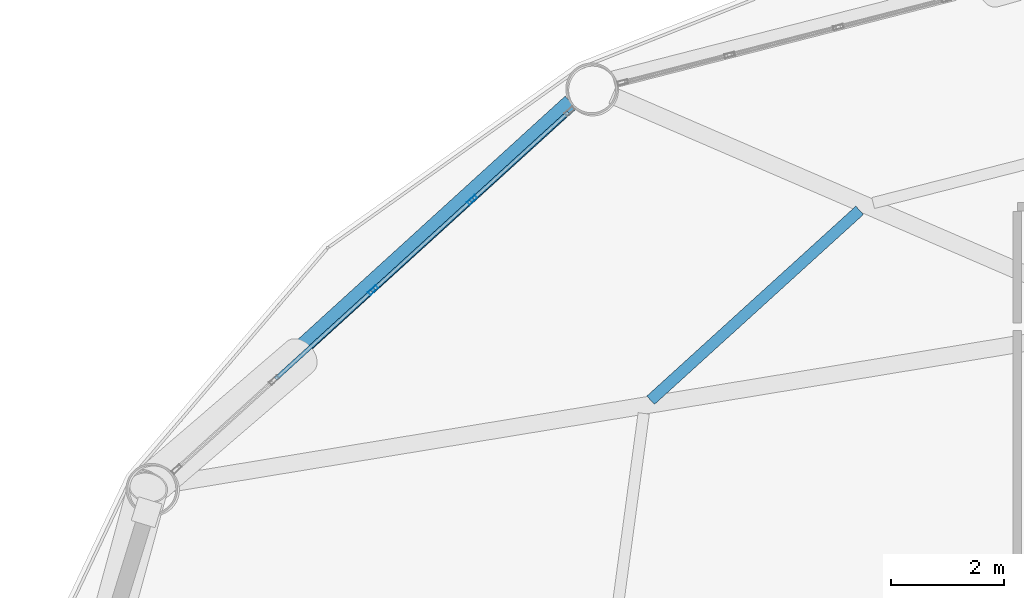
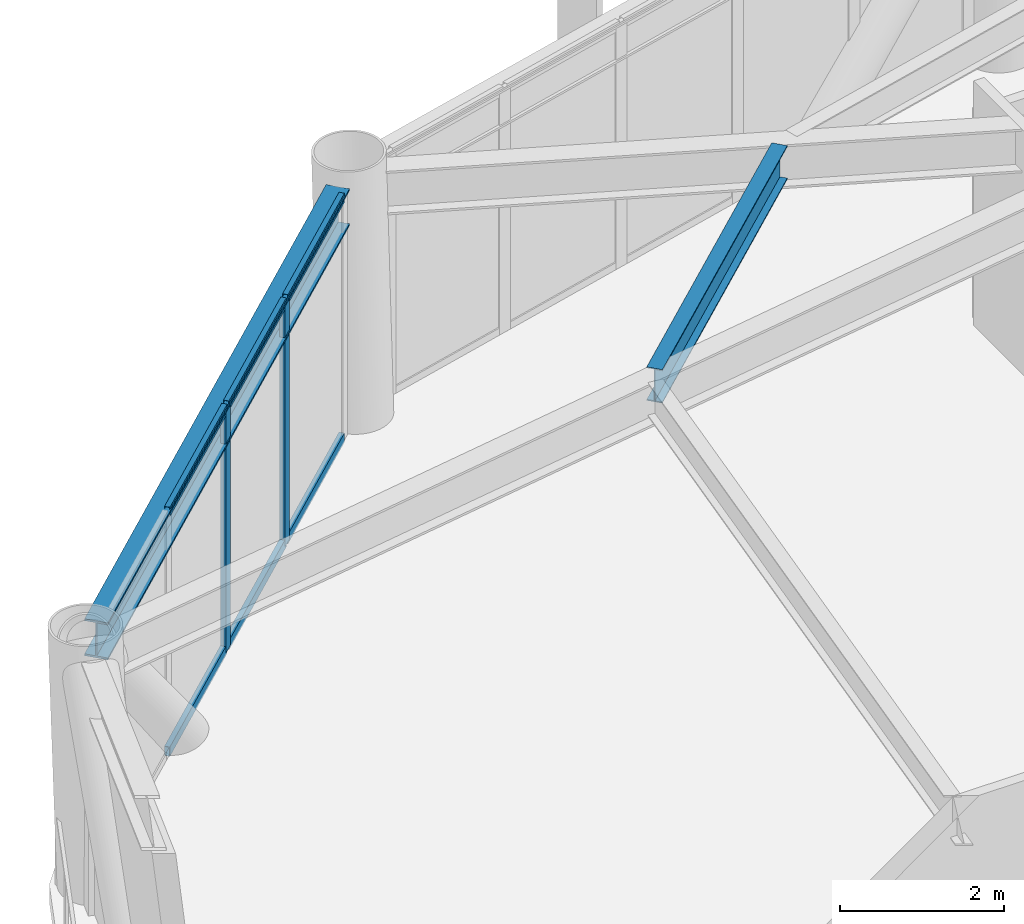
# One storey, part 15 of 25: 8 members, 2 beams, 1 element without a shape of its own.
"""IFC4 building model written with IfcOpenShell, lengths in metres."""

from ifc_helpers import new_model, si_unit, direction, frame, origin, origin_2d, place, context, subcontext, project, spatial, hollow_rectangle, i_section, extrude, material, layer, layer_set, material_profile, profile_set, type_object, element, aggregate, save


model = new_model("IFC4")

# Units and contexts
model_context = context("Model", 3, precision=1e-05, world=origin(), true_north=direction((0.0, 1.0)))
body_context = subcontext(model_context, "Body", "Model", "MODEL_VIEW")
ifc_project = project(units=[si_unit("LENGTHUNIT", "METRE"), si_unit("AREAUNIT", "SQUARE_METRE"), si_unit("VOLUMEUNIT", "CUBIC_METRE"), si_unit("PLANEANGLEUNIT", "RADIAN"), si_unit("MASSUNIT", "GRAM", prefix="KILO")], contexts=[model_context])

# Site, building, storey
site_placement = place(None, origin())
site = spatial("IfcSite", under=ifc_project, at=site_placement, CompositionType="ELEMENT")
building_placement = place(site_placement, origin())
building = spatial("IfcBuilding", under=site, at=building_placement, Name="Varnakorn Sky Granary", CompositionType="ELEMENT")
storey_placement = place(building_placement, frame((0.0, 0.0, 58.800048828125)))
storey = spatial("IfcBuildingStorey", under=building, at=storey_placement, Name="L14", CompositionType="ELEMENT", Elevation=58.800048828125)

# Beams
ifc_material_1 = material(Name="Steel S355JR", Category="steel")
ifc_material_profile_1 = material_profile(ifc_material_1, i_section(OverallWidth=0.199951171875, OverallDepth=0.5, WebThickness=0.01025390625, FlangeThickness=0.01611328125, at=origin_2d()), Name="IPE 500")
ifc_profile_set_1 = profile_set([ifc_material_profile_1], Name="Steel S355JR")
beam_type_1 = type_object("IfcBeamType", Name="BM-SEC-Z1", PredefinedType="BEAM", material=ifc_profile_set_1)
beam_1_placement = place(storey_placement, frame((-7.396240234375, 14.6328125, 3.389892578125), z_axis=(-0.740087979136, -0.672510061737, 0.0), x_axis=(0.672510061737, -0.740087979136, 0.0)))
element("IfcBeam", 1, at=beam_1_placement, inside=storey, type_object=beam_type_1, Name="Secondary Floor Chord Beam MSB05 L14", PredefinedType="BEAM", context=body_context, shape_type="SweptSolid", body=[
    extrude(i_section(OverallWidth=0.199951171875, OverallDepth=0.5, WebThickness=0.01025390625, FlangeThickness=0.01611328125, at=origin_2d()), origin(), (0.0, 0.0, 1.0), 5.003662109375),
])
ifc_material_profile_2 = material_profile(ifc_material_1, i_section(OverallWidth=0.300048828125, OverallDepth=0.550048828125, WebThickness=0.014892578125, FlangeThickness=0.029052734375, at=origin_2d()), Name="HE 550 B")
ifc_profile_set_2 = profile_set([ifc_material_profile_2], Name="Steel S355JR")
beam_type_2 = type_object("IfcBeamType", Name="BM-SPD-Z1", PredefinedType="SPANDREL", material=ifc_profile_set_2)
beam_2_placement = place(storey_placement, frame((-12.512451171875, 16.544921875, 3.364990234375), z_axis=(-0.739598046308, -0.673048831733, 0.0), x_axis=(0.673048831733, -0.739598046308, 0.0)))
element("IfcBeam", 2, at=beam_2_placement, inside=storey, type_object=beam_type_2, Name="Perimeter Spandrel Ring Beam RB05 L14", PredefinedType="SPANDREL", context=body_context, shape_type="SweptSolid", body=[
    extrude(i_section(OverallWidth=0.300048828125, OverallDepth=0.550048828125, WebThickness=0.014892578125, FlangeThickness=0.029052734375, at=origin_2d()), origin(), (0.0, 0.0, 1.0), 9.6923828125),
])

# Curtain wall, members
ifc_material_2 = material(Name="Anodised Bronze Aluminium Alloy 6063-T6", Category="aluminium")
ifc_layer = layer(ifc_material_2, 0.18994140625, Name="Anodised Bronze Aluminium Alloy 6063-T6")
ifc_layer_set = layer_set([ifc_layer], Name="Anodised Bronze Aluminium Alloy 6063-T6")
curtain_wall_type = type_object("IfcCurtainWallType", Name="CW-FRM-1", PredefinedType="USERDEFINED", material=ifc_layer_set)
curtain_wall_placement = place(storey_placement, origin())
curtain_wall = element("IfcCurtainWall", 3, at=curtain_wall_placement, inside=storey, type_object=curtain_wall_type, Name="Unitised Curtain Wall CW3 CW-L14-B05", ObjectType="CURTAIN WALL", PredefinedType="USERDEFINED")
ifc_material_profile_3 = material_profile(ifc_material_2, hollow_rectangle(XDim=0.070068359375, YDim=0.18505859375, WallThickness=0.00390625, at=origin_2d()), Name="ALU MULL 70x185")
ifc_profile_set_3 = profile_set([ifc_material_profile_3], Name="Anodised Bronze Aluminium Alloy 6063-T6")
member_type_1 = type_object("IfcMemberType", Name="CW-FRM-1-MULL", PredefinedType="MULLION", material=ifc_profile_set_3)
member_1_placement = place(storey_placement, frame((-16.01611328125, 13.2197265625, 0.0), z_axis=(0.0, 0.0, 1.0), x_axis=(-0.67331886602, 0.739352219623, 0.0)))
member_1 = element("IfcMember", 4, at=member_1_placement, type_object=member_type_1, Name="CW3 mullion 3", PredefinedType="MULLION", context=body_context, shape_type="SweptSolid", body=[
    extrude(hollow_rectangle(XDim=0.070068359375, YDim=0.18505859375, WallThickness=0.00390625, at=origin_2d()), origin(), (0.0, 0.0, 1.0), 3.639892578125),
])
member_2_placement = place(storey_placement, frame((-14.262451171875, 14.816650390625, 0.0), z_axis=(0.0, 0.0, 1.0), x_axis=(-0.67331886602, 0.739352219623, 0.0)))
member_2 = element("IfcMember", 5, at=member_2_placement, type_object=member_type_1, Name="CW3 mullion 4", PredefinedType="MULLION", context=body_context, shape_type="SweptSolid", body=[
    extrude(hollow_rectangle(XDim=0.070068359375, YDim=0.18505859375, WallThickness=0.00390625, at=origin_2d()), origin(), (0.0, 0.0, 1.0), 3.639892578125),
])
ifc_material_profile_4 = material_profile(ifc_material_2, hollow_rectangle(XDim=0.070068359375, YDim=0.139892578125, WallThickness=0.00341796875, at=origin_2d()), Name="ALU TRAN 70x140")
ifc_profile_set_4 = profile_set([ifc_material_profile_4], Name="Anodised Bronze Aluminium Alloy 6063-T6")
member_type_2 = type_object("IfcMemberType", Name="CW-FRM-1-TRAN", PredefinedType="USERDEFINED", material=ifc_profile_set_4)
member_3_placement = place(storey_placement, frame((-17.743896484375, 11.646240234375, 0.034912109375), z_axis=(0.739373495564, 0.673295502775, 0.0), x_axis=(-0.673295502775, 0.739373495564, 0.0)))
member_3 = element("IfcMember", 6, at=member_3_placement, type_object=member_type_2, Name="CW3 transom 2.1", ObjectType="TRANSOM", PredefinedType="USERDEFINED", context=body_context, shape_type="SweptSolid", body=[
    extrude(hollow_rectangle(XDim=0.070068359375, YDim=0.139892578125, WallThickness=0.00341796875, at=origin_2d()), origin(), (0.0, 0.0, 1.0), 2.3017578125),
])
member_4_placement = place(storey_placement, frame((-17.743896484375, 11.646240234375, 3.60498046875), z_axis=(0.739373495564, 0.673295502775, 0.0), x_axis=(-0.673295502775, 0.739373495564, 0.0)))
member_4 = element("IfcMember", 7, at=member_4_placement, type_object=member_type_2, Name="CW3 transom 2.2", ObjectType="TRANSOM", PredefinedType="USERDEFINED", context=body_context, shape_type="SweptSolid", body=[
    extrude(hollow_rectangle(XDim=0.070068359375, YDim=0.139892578125, WallThickness=0.00341796875, at=origin_2d()), origin(), (0.0, 0.0, 1.0), 2.3017578125),
])
member_5_placement = place(storey_placement, frame((-15.990234375, 13.2431640625, 0.034912109375), z_axis=(0.739320696519, 0.673353479013, 0.0), x_axis=(-0.673353479013, 0.739320696519, 0.0)))
member_5 = element("IfcMember", 8, at=member_5_placement, type_object=member_type_2, Name="CW3 transom 3.1", ObjectType="TRANSOM", PredefinedType="USERDEFINED", context=body_context, shape_type="SweptSolid", body=[
    extrude(hollow_rectangle(XDim=0.070068359375, YDim=0.139892578125, WallThickness=0.00341796875, at=origin_2d()), origin(), (0.0, 0.0, 1.0), 2.302001953125),
])
member_6_placement = place(storey_placement, frame((-15.990234375, 13.2431640625, 3.60498046875), z_axis=(0.739320696519, 0.673353479013, 0.0), x_axis=(-0.673353479013, 0.739320696519, 0.0)))
member_6 = element("IfcMember", 9, at=member_6_placement, type_object=member_type_2, Name="CW3 transom 3.2", ObjectType="TRANSOM", PredefinedType="USERDEFINED", context=body_context, shape_type="SweptSolid", body=[
    extrude(hollow_rectangle(XDim=0.070068359375, YDim=0.139892578125, WallThickness=0.00341796875, at=origin_2d()), origin(), (0.0, 0.0, 1.0), 2.302001953125),
])
member_7_placement = place(storey_placement, frame((-14.236572265625, 14.84033203125, 0.034912109375), z_axis=(0.739345253663, 0.673326515062, 0.0), x_axis=(-0.673326515062, 0.739345253663, 0.0)))
member_7 = element("IfcMember", 10, at=member_7_placement, type_object=member_type_2, Name="CW3 transom 4.1", ObjectType="TRANSOM", PredefinedType="USERDEFINED", context=body_context, shape_type="SweptSolid", body=[
    extrude(hollow_rectangle(XDim=0.070068359375, YDim=0.139892578125, WallThickness=0.00341796875, at=origin_2d()), origin(), (0.0, 0.0, 1.0), 2.266845703125),
])
member_8_placement = place(storey_placement, frame((-14.236572265625, 14.84033203125, 3.60498046875), z_axis=(0.739345253663, 0.673326515062, 0.0), x_axis=(-0.673326515062, 0.739345253663, 0.0)))
member_8 = element("IfcMember", 11, at=member_8_placement, type_object=member_type_2, Name="CW3 transom 4.2", ObjectType="TRANSOM", PredefinedType="USERDEFINED", context=body_context, shape_type="SweptSolid", body=[
    extrude(hollow_rectangle(XDim=0.070068359375, YDim=0.139892578125, WallThickness=0.00341796875, at=origin_2d()), origin(), (0.0, 0.0, 1.0), 2.266845703125),
])
aggregate(curtain_wall, [member_1, member_2, member_3, member_4, member_5, member_6, member_7, member_8])

save(model, "model.ifc")
